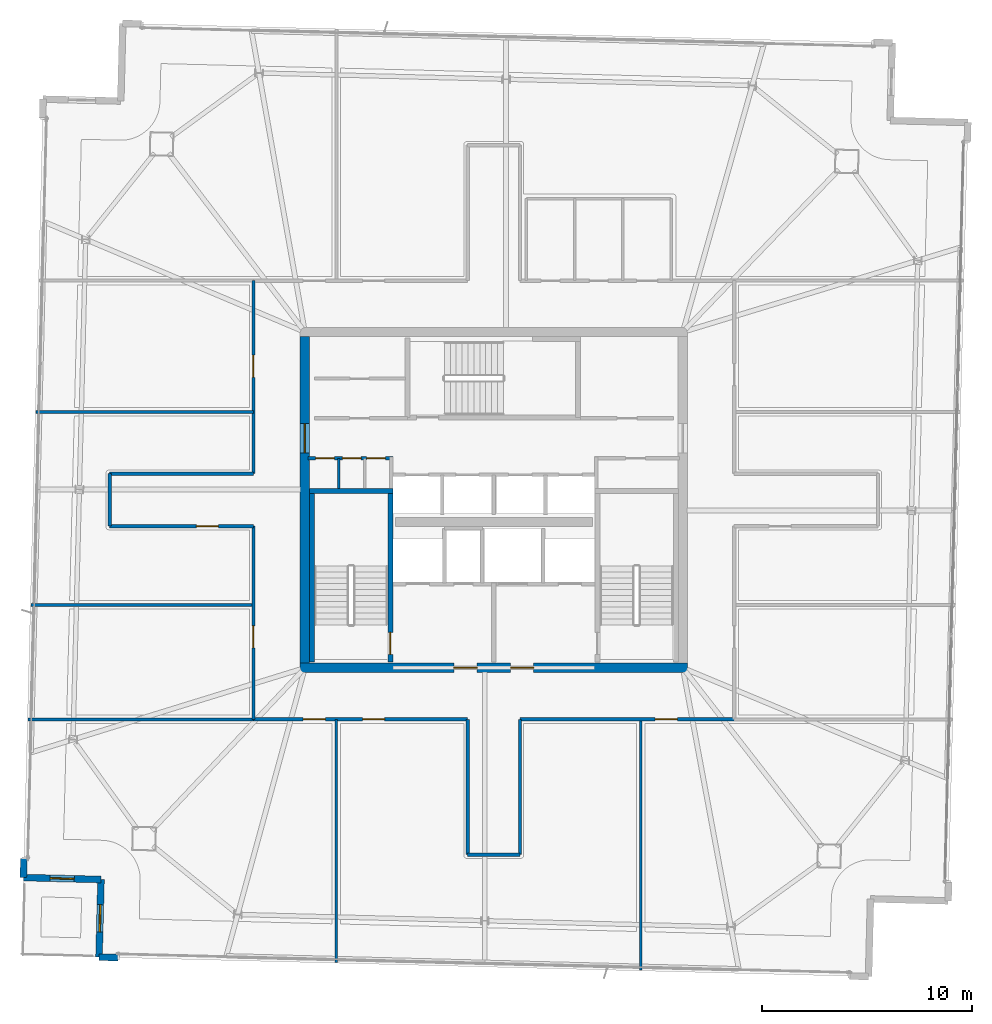
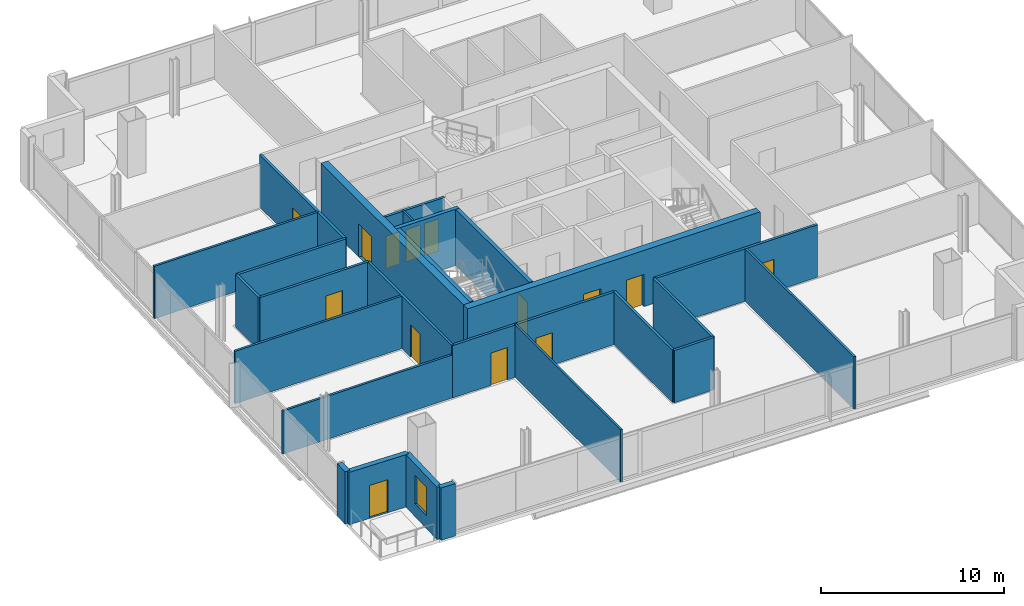
# One storey, part 19 of 25: 26 walls, 14 doors, 1 window, 15 openings.
"""IFC4 building model written with IfcOpenShell, lengths in metres."""

from ifc_helpers import new_model, si_unit, direction, frame, frame_2d, origin, place, context, subcontext, project, spatial, rectangle, extrude, material, layer, layer_set, type_object, element, fill, save


model = new_model("IFC4")

# Units and contexts
model_context = context("Model", 3, precision=1e-05, world=origin(), true_north=direction((0.0, 1.0)))
body_context = subcontext(model_context, "Body", "Model", "MODEL_VIEW")
ifc_project = project(units=[si_unit("LENGTHUNIT", "METRE"), si_unit("AREAUNIT", "SQUARE_METRE"), si_unit("VOLUMEUNIT", "CUBIC_METRE"), si_unit("PLANEANGLEUNIT", "RADIAN"), si_unit("MASSUNIT", "GRAM", prefix="KILO")], contexts=[model_context])

# Site, building, storey
site_placement = place(None, origin())
site = spatial("IfcSite", under=ifc_project, at=site_placement, CompositionType="ELEMENT")
building_placement = place(site_placement, origin())
building = spatial("IfcBuilding", under=site, at=building_placement, Name="Haldenkirk Collegiate Tower", CompositionType="ELEMENT")
storey_placement = place(building_placement, frame((0.0, 0.0, 325.199951171875)))
storey = spatial("IfcBuildingStorey", under=building, at=storey_placement, Name="L82", CompositionType="ELEMENT", Elevation=325.199951171875)

# Wall, openings, doors
ifc_material_1 = material(Name="Concrete f'c 55 MPa", Category="concrete")
ifc_layer_1 = layer(ifc_material_1, 0.449951171875)
ifc_layer_set_1 = layer_set([ifc_layer_1], Name="Concrete f'c 55 MPa")
wall_type_1 = type_object("IfcWallType", Name="WL-CORE-450", PredefinedType="SHEAR", material=ifc_layer_set_1)
wall_1_placement = place(storey_placement, frame((26.77490234375, 18.0, 0.0), z_axis=(0.0, 0.0, 1.0), x_axis=(1.0, 0.0, 0.0)))
wall_1 = element("IfcWall", 1, at=wall_1_placement, inside=storey, type_object=wall_type_1, Name="L82 central core shear wall S", PredefinedType="SHEAR", context=body_context, shape_type="SweptSolid", body=[
    extrude(rectangle(XDim=18.4501953125, YDim=0.449951171875, at=frame_2d((9.22509765625, 0.0))), origin(), (0.0, 0.0, 1.0), 3.75),
])
opening_1_placement = place(wall_1_placement, frame((7.324951171875, 0.0, 0.0)))
opening_1 = element("IfcOpeningElement", 2, at=opening_1_placement, cuts=wall_1, Name="Opening D-02", PredefinedType="OPENING", context=body_context, shape_type="SweptSolid", body=[
    extrude(rectangle(XDim=1.10009765625, YDim=2.14990234375, at=frame_2d((0.550048828125, 1.074951171875))), frame((0.0, 0.23486328125, 0.0), z_axis=(0.0, -1.0, 0.0), x_axis=(1.0, 0.0, 0.0)), (0.0, 0.0, 1.0), 0.469970703125),
])
opening_2_placement = place(wall_1_placement, frame((10.02490234375, 0.0, 0.0)))
opening_2 = element("IfcOpeningElement", 3, at=opening_2_placement, cuts=wall_1, Name="Opening D-02", PredefinedType="OPENING", context=body_context, shape_type="SweptSolid", body=[
    extrude(rectangle(XDim=1.10009765625, YDim=2.14990234375, at=frame_2d((0.550048828125, 1.074951171875))), frame((0.0, 0.23486328125, 0.0), z_axis=(0.0, -1.0, 0.0), x_axis=(1.0, 0.0, 0.0)), (0.0, 0.0, 1.0), 0.469970703125),
])
ifc_material_2 = material(Name="Galvanized fire-rated hollow steel door", Category="steel")
ifc_layer_2 = layer(ifc_material_2, 0.06005859375)
ifc_layer_set_2 = layer_set([ifc_layer_2], Name="Galvanized fire-rated hollow steel door")
door_type_1 = type_object("IfcDoorType", Name="DR-STAIR-FD90-1100", OperationType="NOTDEFINED", PredefinedType="DOOR", material=ifc_layer_set_2)
door_1_placement = place(opening_1_placement, origin())
door_1 = element("IfcDoor", 4, at=door_1_placement, inside=storey, type_object=door_type_1, Name="L82 Firefighting Lobby 1 door", OperationType="SINGLE_SWING_RIGHT", OverallHeight=2.14990234375, OverallWidth=1.10009765625, PredefinedType="DOOR", context=body_context, shape_type="SweptSolid", body=[
    extrude(rectangle(XDim=1.10009765625, YDim=2.14990234375, at=frame_2d((0.550048828125, 1.074951171875))), frame((0.0, 0.02490234375, 0.0), z_axis=(0.0, -1.0, 0.0), x_axis=(1.0, 0.0, 0.0)), (0.0, 0.0, 1.0), 0.050048828125),
])
fill(opening_1, door_1)
door_2_placement = place(opening_2_placement, origin())
door_2 = element("IfcDoor", 5, at=door_2_placement, inside=storey, type_object=door_type_1, Name="L82 Firefighting Lobby 2 door", OperationType="SINGLE_SWING_LEFT", OverallHeight=2.14990234375, OverallWidth=1.10009765625, PredefinedType="DOOR", context=body_context, shape_type="SweptSolid", body=[
    extrude(rectangle(XDim=1.10009765625, YDim=2.14990234375, at=frame_2d((0.550048828125, 1.074951171875))), frame((0.0, 0.02490234375, 0.0), z_axis=(0.0, -1.0, 0.0), x_axis=(1.0, 0.0, 0.0)), (0.0, 0.0, 1.0), 0.050048828125),
])
fill(opening_2, door_2)

# Wall, opening, door
wall_2_placement = place(storey_placement, frame((27.0, 18.22509765625, 0.0), z_axis=(0.0, 0.0, 1.0), x_axis=(0.0, 1.0, 0.0)))
wall_2 = element("IfcWall", 6, at=wall_2_placement, inside=storey, type_object=wall_type_1, Name="L82 central core shear wall W", PredefinedType="SHEAR", context=body_context, shape_type="SweptSolid", body=[
    extrude(rectangle(XDim=15.5498046875, YDim=0.449951171875, at=frame_2d((7.77490234375, 0.0))), origin(), (0.0, 0.0, 1.0), 3.75),
])
opening_3_placement = place(wall_2_placement, frame((10.014892578125, 0.0, 0.0)))
opening_3 = element("IfcOpeningElement", 7, at=opening_3_placement, cuts=wall_2, Name="Opening D-03", PredefinedType="OPENING", context=body_context, shape_type="SweptSolid", body=[
    extrude(rectangle(XDim=1.39990234375, YDim=2.199951171875, at=frame_2d((0.699951171875, 1.10009765625))), frame((0.0, 0.23486328125, 0.0), z_axis=(0.0, -1.0, 0.0), x_axis=(1.0, 0.0, 0.0)), (0.0, 0.0, 1.0), 0.469970703125),
])
ifc_layer_3 = layer(ifc_material_2, 0.06005859375)
ifc_layer_set_3 = layer_set([ifc_layer_3], Name="Galvanized fire-rated hollow steel door")
door_type_2 = type_object("IfcDoorType", Name="DR-LOBBY-FD90-1400", OperationType="NOTDEFINED", PredefinedType="DOOR", material=ifc_layer_set_3)
door_3_placement = place(opening_3_placement, origin())
door_3 = element("IfcDoor", 8, at=door_3_placement, inside=storey, type_object=door_type_2, Name="L82 west lift lobby portal", OperationType="DOUBLE_DOOR_SINGLE_SWING", OverallHeight=2.199951171875, OverallWidth=1.39990234375, PredefinedType="DOOR", context=body_context, shape_type="SweptSolid", body=[
    extrude(rectangle(XDim=1.39990234375, YDim=2.199951171875, at=frame_2d((0.699951171875, 1.10009765625))), frame((0.0, 0.02490234375, 0.0), z_axis=(0.0, -1.0, 0.0), x_axis=(1.0, 0.0, 0.0)), (0.0, 0.0, 1.0), 0.050048828125),
])
fill(opening_3, door_3)

# Wall
ifc_material_3 = material(Name="Precast concrete f'c 40 MPa", Category="concrete")
ifc_layer_4 = layer(ifc_material_3, 0.320068359375)
ifc_layer_set_4 = layer_set([ifc_layer_4], Name="Precast concrete f'c 40 MPa")
wall_type_2 = type_object("IfcWallType", Name="WL-EXT-TWR-320", PredefinedType="STANDARD", material=ifc_layer_set_4)
wall_3_placement = place(storey_placement, frame((13.587646484375, 8.011474609375, 0.0), z_axis=(0.0, 0.0, 1.0), x_axis=(0.025229415726, 0.99968168763, 0.0)))
element("IfcWall", 9, at=wall_3_placement, inside=storey, type_object=wall_type_2, Name="L82 precast corner pier NL", PredefinedType="STANDARD", context=body_context, shape_type="SweptSolid", body=[
    extrude(rectangle(XDim=0.89990234375, YDim=0.320068359375, at=frame_2d((0.449951171875, 0.0))), origin(), (0.0, 0.0, 1.0), 3.489990234375),
])

# Wall, opening, door
wall_4_placement = place(storey_placement, frame((17.286376953125, 7.917724609375, 0.0), z_axis=(0.0, 0.0, 1.0), x_axis=(-0.999678931284, 0.025338396674, 0.0)))
wall_4 = element("IfcWall", 10, at=wall_4_placement, inside=storey, type_object=wall_type_2, Name="L82 bronze precast notch wall 08", PredefinedType="STANDARD", context=body_context, shape_type="SweptSolid", body=[
    extrude(rectangle(XDim=3.699951171875, YDim=0.320068359375, at=frame_2d((1.85009765625, 0.0))), origin(), (0.0, 0.0, 1.0), 3.489990234375),
])
opening_4_placement = place(wall_4_placement, frame((1.27490234375, 0.0, 0.0)))
opening_4 = element("IfcOpeningElement", 11, at=opening_4_placement, cuts=wall_4, Name="Opening D-ST11", PredefinedType="OPENING", context=body_context, shape_type="SweptSolid", body=[
    extrude(rectangle(XDim=1.14990234375, YDim=2.199951171875, at=frame_2d((0.574951171875, 1.10009765625))), frame((0.0, 0.169921875, 0.0), z_axis=(0.0, -1.0, 0.0), x_axis=(1.0, 0.0, 0.0)), (0.0, 0.0, 1.0), 0.340087890625),
])
ifc_material_4 = material(Name="Anodised architectural bronze aluminium", Category="aluminium")
ifc_layer_5 = layer(ifc_material_4, 0.080078125)
ifc_layer_set_5 = layer_set([ifc_layer_5], Name="Anodised architectural bronze aluminium")
door_type_3 = type_object("IfcDoorType", Name="DR-EXT-STER-1150", OperationType="NOTDEFINED", PredefinedType="DOOR", material=ifc_layer_set_5)
door_4_placement = place(opening_4_placement, origin())
door_4 = element("IfcDoor", 12, at=door_4_placement, inside=storey, type_object=door_type_3, Name="L82 spiralling terrace door", OperationType="SINGLE_SWING_LEFT", OverallHeight=2.199951171875, OverallWidth=1.14990234375, PredefinedType="DOOR", context=body_context, shape_type="SweptSolid", body=[
    extrude(rectangle(XDim=1.14990234375, YDim=2.199951171875, at=frame_2d((0.574951171875, 1.10009765625))), frame((0.0, 0.02490234375, 0.0), z_axis=(0.0, -1.0, 0.0), x_axis=(1.0, 0.0, 0.0)), (0.0, 0.0, 1.0), 0.050048828125),
])
fill(opening_4, door_4)

# Wall, opening, window
wall_5_placement = place(storey_placement, frame((17.19287109375, 4.218994140625, 0.0), z_axis=(0.0, 0.0, 1.0), x_axis=(0.025272453466, 0.99968060054, 0.0)))
wall_5 = element("IfcWall", 13, at=wall_5_placement, inside=storey, type_object=wall_type_2, Name="L82 bronze precast notch wall 09", PredefinedType="STANDARD", context=body_context, shape_type="SweptSolid", body=[
    extrude(rectangle(XDim=3.699951171875, YDim=0.320068359375, at=frame_2d((1.85009765625, 0.0))), origin(), (0.0, 0.0, 1.0), 3.489990234375),
])
opening_5_placement = place(wall_5_placement, frame((1.199951171875, 0.0, 0.85009765625)))
opening_5 = element("IfcOpeningElement", 14, at=opening_5_placement, cuts=wall_5, Name="Opening W-08", PredefinedType="OPENING", context=body_context, shape_type="SweptSolid", body=[
    extrude(rectangle(XDim=1.300048828125, YDim=1.89990234375, at=frame_2d((0.64990234375, 0.949951171875))), frame((0.0, 0.169921875, 0.0), z_axis=(0.0, -1.0, 0.0), x_axis=(1.0, 0.0, 0.0)), (0.0, 0.0, 1.0), 0.340087890625),
])
ifc_material_5 = material(Name="Low-E argon triple insulating glass", Category="glass")
ifc_layer_6 = layer(ifc_material_5, 0.090087890625)
ifc_layer_set_6 = layer_set([ifc_layer_6], Name="Low-E argon triple insulating glass")
window_type = type_object("IfcWindowType", Name="WN-Z6-1300X1900", PartitioningType="SINGLE_PANEL", PredefinedType="WINDOW", material=ifc_layer_set_6)
window_placement = place(opening_5_placement, origin())
window = element("IfcWindow", 15, at=window_placement, inside=storey, type_object=window_type, Name="L82 precast-frame academic window 8", OverallHeight=1.89990234375, OverallWidth=1.300048828125, PartitioningType="SINGLE_PANEL", PredefinedType="WINDOW", context=body_context, shape_type="SweptSolid", body=[
    extrude(rectangle(XDim=1.300048828125, YDim=1.89990234375, at=frame_2d((0.64990234375, 0.949951171875))), frame((0.0, 0.030029296875, 0.0), z_axis=(0.0, -1.0, 0.0), x_axis=(1.0, 0.0, 0.0)), (0.0, 0.0, 1.0), 0.06005859375),
])
fill(opening_5, window)

# Wall
wall_6_placement = place(storey_placement, frame((18.092529296875, 4.196044921875, 0.0), z_axis=(0.0, 0.0, 1.0), x_axis=(-0.999674808756, 0.025500524294, 0.0)))
element("IfcWall", 16, at=wall_6_placement, inside=storey, type_object=wall_type_2, Name="L82 precast corner pier WR", PredefinedType="STANDARD", context=body_context, shape_type="SweptSolid", body=[
    extrude(rectangle(XDim=0.89990234375, YDim=0.320068359375, at=frame_2d((0.449951171875, 0.0))), origin(), (0.0, 0.0, 1.0), 3.489990234375),
])

# Wall, openings, doors
ifc_material_6 = material(Name="Acoustic fire-rated gypsum partition", Category="concrete")
ifc_layer_7 = layer(ifc_material_6, 0.159912109375)
ifc_layer_set_7 = layer_set([ifc_layer_7], Name="Acoustic fire-rated gypsum partition")
wall_type_3 = type_object("IfcWallType", Name="WL-INT-CORR-160", PredefinedType="PARTITIONING", material=ifc_layer_set_7)
wall_7_placement = place(storey_placement, frame((27.14990234375, 27.97998046875, 0.0), z_axis=(0.0, 0.0, 1.0), x_axis=(1.0, 0.0, 0.0)))
wall_7 = element("IfcWall", 17, at=wall_7_placement, inside=storey, type_object=wall_type_3, Name="L82 interior partition IW-L82-VCSW-N", PredefinedType="PARTITIONING", context=body_context, shape_type="SweptSolid", body=[
    extrude(rectangle(XDim=4.050048828125, YDim=0.159912109375, at=frame_2d((2.02490234375, 0.0))), origin(), (0.0, 0.0, 1.0), 3.489990234375),
])
opening_6_placement = place(wall_7_placement, frame((0.360107421875, 0.0, 0.0)))
opening_6 = element("IfcOpeningElement", 18, at=opening_6_placement, cuts=wall_7, Name="Opening D-11", PredefinedType="OPENING", context=body_context, shape_type="SweptSolid", body=[
    extrude(rectangle(XDim=0.89990234375, YDim=2.14990234375, at=frame_2d((0.449951171875, 1.074951171875))), frame((0.0, 0.08984375, 0.0), z_axis=(0.0, -1.0, 0.0), x_axis=(1.0, 0.0, 0.0)), (0.0, 0.0, 1.0), 0.179931640625),
])
opening_7_placement = place(wall_7_placement, frame((1.6298828125, 0.0, 0.0)))
opening_7 = element("IfcOpeningElement", 19, at=opening_7_placement, cuts=wall_7, Name="Opening D-11", PredefinedType="OPENING", context=body_context, shape_type="SweptSolid", body=[
    extrude(rectangle(XDim=0.89990234375, YDim=2.14990234375, at=frame_2d((0.449951171875, 1.074951171875))), frame((0.0, 0.08984375, 0.0), z_axis=(0.0, -1.0, 0.0), x_axis=(1.0, 0.0, 0.0)), (0.0, 0.0, 1.0), 0.179931640625),
])
opening_8_placement = place(wall_7_placement, frame((2.78759765625, 0.0, 0.0)))
opening_8 = element("IfcOpeningElement", 20, at=opening_8_placement, cuts=wall_7, Name="Opening D-11", PredefinedType="OPENING", context=body_context, shape_type="SweptSolid", body=[
    extrude(rectangle(XDim=0.89990234375, YDim=2.14990234375, at=frame_2d((0.449951171875, 1.074951171875))), frame((0.0, 0.08984375, 0.0), z_axis=(0.0, -1.0, 0.0), x_axis=(1.0, 0.0, 0.0)), (0.0, 0.0, 1.0), 0.179931640625),
])
ifc_material_7 = material(Name="Solid-core architectural oak fire door", Category="wood")
ifc_layer_8 = layer(ifc_material_7, 0.06005859375)
ifc_layer_set_8 = layer_set([ifc_layer_8], Name="Solid-core architectural oak fire door")
door_type_4 = type_object("IfcDoorType", Name="DR-INT-FD60-900", OperationType="NOTDEFINED", PredefinedType="DOOR", material=ifc_layer_set_8)
door_5_placement = place(opening_6_placement, origin())
door_5 = element("IfcDoor", 21, at=door_5_placement, inside=storey, type_object=door_type_4, Name="L82 core study booth door", OperationType="SINGLE_SWING_RIGHT", OverallHeight=2.14990234375, OverallWidth=0.89990234375, PredefinedType="DOOR", context=body_context, shape_type="SweptSolid", body=[
    extrude(rectangle(XDim=0.89990234375, YDim=2.14990234375, at=frame_2d((0.449951171875, 1.074951171875))), frame((0.0, 0.02490234375, 0.0), z_axis=(0.0, -1.0, 0.0), x_axis=(1.0, 0.0, 0.0)), (0.0, 0.0, 1.0), 0.050048828125),
])
fill(opening_6, door_5)
door_6_placement = place(opening_7_placement, origin())
door_6 = element("IfcDoor", 22, at=door_6_placement, inside=storey, type_object=door_type_4, Name="L82 core cleaners door", OperationType="SINGLE_SWING_LEFT", OverallHeight=2.14990234375, OverallWidth=0.89990234375, PredefinedType="DOOR", context=body_context, shape_type="SweptSolid", body=[
    extrude(rectangle(XDim=0.89990234375, YDim=2.14990234375, at=frame_2d((0.449951171875, 1.074951171875))), frame((0.0, 0.02490234375, 0.0), z_axis=(0.0, -1.0, 0.0), x_axis=(1.0, 0.0, 0.0)), (0.0, 0.0, 1.0), 0.050048828125),
])
fill(opening_7, door_6)
door_7_placement = place(opening_8_placement, origin())
door_7 = element("IfcDoor", 23, at=door_7_placement, inside=storey, type_object=door_type_4, Name="L82 core stationery door", OperationType="SINGLE_SWING_RIGHT", OverallHeight=2.14990234375, OverallWidth=0.89990234375, PredefinedType="DOOR", context=body_context, shape_type="SweptSolid", body=[
    extrude(rectangle(XDim=0.89990234375, YDim=2.14990234375, at=frame_2d((0.449951171875, 1.074951171875))), frame((0.0, 0.02490234375, 0.0), z_axis=(0.0, -1.0, 0.0), x_axis=(1.0, 0.0, 0.0)), (0.0, 0.0, 1.0), 0.050048828125),
])
fill(opening_8, door_7)

wall_8_placement = place(storey_placement, frame((24.5, 15.550048828125, 0.0), z_axis=(0.0, 0.0, 1.0), x_axis=(1.0, 0.0, 0.0)))
wall_8 = element("IfcWall", 24, at=wall_8_placement, inside=storey, type_object=wall_type_3, Name="L82 interior partition IW-L82-CS1", PredefinedType="PARTITIONING", context=body_context, shape_type="SweptSolid", body=[
    extrude(rectangle(XDim=10.25, YDim=0.159912109375, at=frame_2d((5.125, 0.0))), origin(), (0.0, 0.0, 1.0), 3.489990234375),
])
opening_9_placement = place(wall_8_placement, frame((2.4208984375, 0.0, 0.0)))
opening_9 = element("IfcOpeningElement", 25, at=opening_9_placement, cuts=wall_8, Name="Opening D-09", PredefinedType="OPENING", context=body_context, shape_type="SweptSolid", body=[
    extrude(rectangle(XDim=1.050048828125, YDim=2.14990234375, at=frame_2d((0.52490234375, 1.074951171875))), frame((0.0, 0.08984375, 0.0), z_axis=(0.0, -1.0, 0.0), x_axis=(1.0, 0.0, 0.0)), (0.0, 0.0, 1.0), 0.179931640625),
])
opening_10_placement = place(wall_8_placement, frame((5.2490234375, 0.0, 0.0)))
opening_10 = element("IfcOpeningElement", 26, at=opening_10_placement, cuts=wall_8, Name="Opening D-09", PredefinedType="OPENING", context=body_context, shape_type="SweptSolid", body=[
    extrude(rectangle(XDim=1.050048828125, YDim=2.14990234375, at=frame_2d((0.52490234375, 1.074951171875))), frame((0.0, 0.08984375, 0.0), z_axis=(0.0, -1.0, 0.0), x_axis=(1.0, 0.0, 0.0)), (0.0, 0.0, 1.0), 0.179931640625),
])
ifc_layer_9 = layer(ifc_material_7, 0.06005859375)
ifc_layer_set_9 = layer_set([ifc_layer_9], Name="Solid-core architectural oak fire door")
door_type_5 = type_object("IfcDoorType", Name="DR-INT-FD60-1050", OperationType="NOTDEFINED", PredefinedType="DOOR", material=ifc_layer_set_9)
door_8_placement = place(opening_9_placement, origin())
door_8 = element("IfcDoor", 27, at=door_8_placement, inside=storey, type_object=door_type_5, Name="L82 Faculty Office 1 door", OperationType="SINGLE_SWING_RIGHT", OverallHeight=2.14990234375, OverallWidth=1.050048828125, PredefinedType="DOOR", context=body_context, shape_type="SweptSolid", body=[
    extrude(rectangle(XDim=1.050048828125, YDim=2.14990234375, at=frame_2d((0.52490234375, 1.074951171875))), frame((0.0, 0.02490234375, 0.0), z_axis=(0.0, -1.0, 0.0), x_axis=(1.0, 0.0, 0.0)), (0.0, 0.0, 1.0), 0.050048828125),
])
fill(opening_9, door_8)
door_9_placement = place(opening_10_placement, origin())
door_9 = element("IfcDoor", 28, at=door_9_placement, inside=storey, type_object=door_type_5, Name="L82 Senior Fellow Office 2 door", OperationType="SINGLE_SWING_LEFT", OverallHeight=2.14990234375, OverallWidth=1.050048828125, PredefinedType="DOOR", context=body_context, shape_type="SweptSolid", body=[
    extrude(rectangle(XDim=1.050048828125, YDim=2.14990234375, at=frame_2d((0.52490234375, 1.074951171875))), frame((0.0, 0.02490234375, 0.0), z_axis=(0.0, -1.0, 0.0), x_axis=(1.0, 0.0, 0.0)), (0.0, 0.0, 1.0), 0.050048828125),
])
fill(opening_10, door_9)

# Wall, opening, door
wall_9_placement = place(storey_placement, frame((37.25, 15.550048828125, 0.0), z_axis=(0.0, 0.0, 1.0), x_axis=(1.0, 0.0, 0.0)))
wall_9 = element("IfcWall", 29, at=wall_9_placement, inside=storey, type_object=wall_type_3, Name="L82 interior partition IW-L82-CS2", PredefinedType="PARTITIONING", context=body_context, shape_type="SweptSolid", body=[
    extrude(rectangle(XDim=10.25, YDim=0.159912109375, at=frame_2d((5.125, 0.0))), origin(), (0.0, 0.0, 1.0), 3.489990234375),
])
opening_11_placement = place(wall_9_placement, frame((6.43896484375, 0.0, 0.0)))
opening_11 = element("IfcOpeningElement", 30, at=opening_11_placement, cuts=wall_9, Name="Opening D-09", PredefinedType="OPENING", context=body_context, shape_type="SweptSolid", body=[
    extrude(rectangle(XDim=1.050048828125, YDim=2.14990234375, at=frame_2d((0.52490234375, 1.074951171875))), frame((0.0, 0.08984375, 0.0), z_axis=(0.0, -1.0, 0.0), x_axis=(1.0, 0.0, 0.0)), (0.0, 0.0, 1.0), 0.179931640625),
])
door_10_placement = place(opening_11_placement, origin())
door_10 = element("IfcDoor", 31, at=door_10_placement, inside=storey, type_object=door_type_5, Name="L82 Research Office 3 door", OperationType="SINGLE_SWING_RIGHT", OverallHeight=2.14990234375, OverallWidth=1.050048828125, PredefinedType="DOOR", context=body_context, shape_type="SweptSolid", body=[
    extrude(rectangle(XDim=1.050048828125, YDim=2.14990234375, at=frame_2d((0.52490234375, 1.074951171875))), frame((0.0, 0.02490234375, 0.0), z_axis=(0.0, -1.0, 0.0), x_axis=(1.0, 0.0, 0.0)), (0.0, 0.0, 1.0), 0.050048828125),
])
fill(opening_11, door_10)

wall_10_placement = place(storey_placement, frame((24.550048828125, 15.550048828125, 0.0), z_axis=(0.0, 0.0, 1.0), x_axis=(0.0, 1.0, 0.0)))
wall_10 = element("IfcWall", 32, at=wall_10_placement, inside=storey, type_object=wall_type_3, Name="L82 interior partition IW-L82-CW1", PredefinedType="PARTITIONING", context=body_context, shape_type="SweptSolid", body=[
    extrude(rectangle(XDim=9.199951171875, YDim=0.159912109375, at=frame_2d((4.60009765625, 0.0))), origin(), (0.0, 0.0, 1.0), 3.489990234375),
])
opening_12_placement = place(wall_10_placement, frame((3.406982421875, 0.0, 0.0)))
opening_12 = element("IfcOpeningElement", 33, at=opening_12_placement, cuts=wall_10, Name="Opening D-09", PredefinedType="OPENING", context=body_context, shape_type="SweptSolid", body=[
    extrude(rectangle(XDim=1.050048828125, YDim=2.14990234375, at=frame_2d((0.52490234375, 1.074951171875))), frame((0.0, 0.08984375, 0.0), z_axis=(0.0, -1.0, 0.0), x_axis=(1.0, 0.0, 0.0)), (0.0, 0.0, 1.0), 0.179931640625),
])
door_11_placement = place(opening_12_placement, origin())
door_11 = element("IfcDoor", 34, at=door_11_placement, inside=storey, type_object=door_type_5, Name="L82 Curator Office 6 door", OperationType="SINGLE_SWING_LEFT", OverallHeight=2.14990234375, OverallWidth=1.050048828125, PredefinedType="DOOR", context=body_context, shape_type="SweptSolid", body=[
    extrude(rectangle(XDim=1.050048828125, YDim=2.14990234375, at=frame_2d((0.52490234375, 1.074951171875))), frame((0.0, 0.02490234375, 0.0), z_axis=(0.0, -1.0, 0.0), x_axis=(1.0, 0.0, 0.0)), (0.0, 0.0, 1.0), 0.050048828125),
])
fill(opening_12, door_11)

wall_11_placement = place(storey_placement, frame((24.550048828125, 27.25, 0.0), z_axis=(0.0, 0.0, 1.0), x_axis=(0.0, 1.0, 0.0)))
wall_11 = element("IfcWall", 35, at=wall_11_placement, inside=storey, type_object=wall_type_3, Name="L82 interior partition IW-L82-CW2", PredefinedType="PARTITIONING", context=body_context, shape_type="SweptSolid", body=[
    extrude(rectangle(XDim=9.199951171875, YDim=0.159912109375, at=frame_2d((4.60009765625, 0.0))), origin(), (0.0, 0.0, 1.0), 3.489990234375),
])
opening_13_placement = place(wall_11_placement, frame((4.593994140625, 0.0, 0.0)))
opening_13 = element("IfcOpeningElement", 36, at=opening_13_placement, cuts=wall_11, Name="Opening D-09", PredefinedType="OPENING", context=body_context, shape_type="SweptSolid", body=[
    extrude(rectangle(XDim=1.050048828125, YDim=2.14990234375, at=frame_2d((0.52490234375, 1.074951171875))), frame((0.0, 0.08984375, 0.0), z_axis=(0.0, -1.0, 0.0), x_axis=(1.0, 0.0, 0.0)), (0.0, 0.0, 1.0), 0.179931640625),
])
door_12_placement = place(opening_13_placement, origin())
door_12 = element("IfcDoor", 37, at=door_12_placement, inside=storey, type_object=door_type_5, Name="L82 Senior Fellow Office 8 door", OperationType="SINGLE_SWING_LEFT", OverallHeight=2.14990234375, OverallWidth=1.050048828125, PredefinedType="DOOR", context=body_context, shape_type="SweptSolid", body=[
    extrude(rectangle(XDim=1.050048828125, YDim=2.14990234375, at=frame_2d((0.52490234375, 1.074951171875))), frame((0.0, 0.02490234375, 0.0), z_axis=(0.0, -1.0, 0.0), x_axis=(1.0, 0.0, 0.0)), (0.0, 0.0, 1.0), 0.050048828125),
])
fill(opening_13, door_12)

# Walls
for number, where, z_axis, x_axis, name in (
    (38, (34.75, 9.10009765625, 0.0), (0.0, 0.0, 1.0), (0.0, 1.0, 0.0), "L82 interior partition IW-L82-SPW"),
    (39, (37.25, 9.10009765625, 0.0), (0.0, 0.0, 1.0), (0.0, 1.0, 0.0), "L82 interior partition IW-L82-SPE"),
):
    element("IfcWall", number, at=place(storey_placement, frame(where, z_axis=z_axis, x_axis=x_axis)), inside=storey, type_object=wall_type_3, Name=name, PredefinedType="PARTITIONING", context=body_context, shape_type="SweptSolid", body=[
        extrude(rectangle(XDim=6.449951171875, YDim=0.159912109375, at=frame_2d((3.22509765625, 0.0))), origin(), (0.0, 0.0, 1.0), 3.489990234375),
    ])
wall_12_placement = place(storey_placement, frame((34.75, 9.10009765625, 0.0), z_axis=(0.0, 0.0, 1.0), x_axis=(1.0, 0.0, 0.0)))
element("IfcWall", 40, at=wall_12_placement, inside=storey, type_object=wall_type_3, Name="L82 interior partition IW-L82-SPS", PredefinedType="PARTITIONING", context=body_context, shape_type="SweptSolid", body=[
    extrude(rectangle(XDim=2.5, YDim=0.159912109375, at=frame_2d((1.25, 0.0))), origin(), (0.0, 0.0, 1.0), 3.489990234375),
])

# Wall, opening, door
wall_13_placement = place(storey_placement, frame((17.699951171875, 24.75, 0.0), z_axis=(0.0, 0.0, 1.0), x_axis=(1.0, 0.0, 0.0)))
wall_13 = element("IfcWall", 41, at=wall_13_placement, inside=storey, type_object=wall_type_3, Name="L82 interior partition IW-L82-WPS", PredefinedType="PARTITIONING", context=body_context, shape_type="SweptSolid", body=[
    extrude(rectangle(XDim=6.85009765625, YDim=0.159912109375, at=frame_2d((3.425048828125, 0.0))), origin(), (0.0, 0.0, 1.0), 3.489990234375),
])
opening_14_placement = place(wall_13_placement, frame((4.133056640625, 0.0, 0.0)))
opening_14 = element("IfcOpeningElement", 42, at=opening_14_placement, cuts=wall_13, Name="Opening D-09", PredefinedType="OPENING", context=body_context, shape_type="SweptSolid", body=[
    extrude(rectangle(XDim=1.050048828125, YDim=2.14990234375, at=frame_2d((0.52490234375, 1.074951171875))), frame((0.0, 0.08984375, 0.0), z_axis=(0.0, -1.0, 0.0), x_axis=(1.0, 0.0, 0.0)), (0.0, 0.0, 1.0), 0.179931640625),
])
door_13_placement = place(opening_14_placement, origin())
door_13 = element("IfcDoor", 43, at=door_13_placement, inside=storey, type_object=door_type_5, Name="L82 Faculty Office 7 door", OperationType="SINGLE_SWING_RIGHT", OverallHeight=2.14990234375, OverallWidth=1.050048828125, PredefinedType="DOOR", context=body_context, shape_type="SweptSolid", body=[
    extrude(rectangle(XDim=1.050048828125, YDim=2.14990234375, at=frame_2d((0.52490234375, 1.074951171875))), frame((0.0, 0.02490234375, 0.0), z_axis=(0.0, -1.0, 0.0), x_axis=(1.0, 0.0, 0.0)), (0.0, 0.0, 1.0), 0.050048828125),
])
fill(opening_14, door_13)

# Walls
wall_14_placement = place(storey_placement, frame((17.699951171875, 27.25, 0.0), z_axis=(0.0, 0.0, 1.0), x_axis=(1.0, 0.0, 0.0)))
element("IfcWall", 44, at=wall_14_placement, inside=storey, type_object=wall_type_3, Name="L82 interior partition IW-L82-WPN", PredefinedType="PARTITIONING", context=body_context, shape_type="SweptSolid", body=[
    extrude(rectangle(XDim=6.85009765625, YDim=0.159912109375, at=frame_2d((3.425048828125, 0.0))), origin(), (0.0, 0.0, 1.0), 3.489990234375),
])
wall_15_placement = place(storey_placement, frame((17.699951171875, 24.75, 0.0), z_axis=(0.0, 0.0, 1.0), x_axis=(0.0, 1.0, 0.0)))
element("IfcWall", 45, at=wall_15_placement, inside=storey, type_object=wall_type_3, Name="L82 interior partition IW-L82-WPW", PredefinedType="PARTITIONING", context=body_context, shape_type="SweptSolid", body=[
    extrude(rectangle(XDim=2.5, YDim=0.159912109375, at=frame_2d((1.25, 0.0))), origin(), (0.0, 0.0, 1.0), 3.489990234375),
])
ifc_layer_10 = layer(ifc_material_6, 0.139892578125)
ifc_layer_set_10 = layer_set([ifc_layer_10], Name="Acoustic fire-rated gypsum partition")
wall_type_4 = type_object("IfcWallType", Name="WL-INT-DIV-140", PredefinedType="PARTITIONING", material=ifc_layer_set_10)
wall_16_placement = place(storey_placement, frame((13.818359375, 15.550048828125, 0.0), z_axis=(0.0, 0.0, 1.0), x_axis=(1.0, 0.0, 0.0)))
element("IfcWall", 46, at=wall_16_placement, inside=storey, type_object=wall_type_4, Name="L82 interior partition IW-L82-BWS", PredefinedType="PARTITIONING", context=body_context, shape_type="SweptSolid", body=[
    extrude(rectangle(XDim=10.731689453125, YDim=0.139892578125, at=frame_2d((5.36572265625, 0.0))), origin(), (0.0, 0.0, 1.0), 2.8681640625),
])
wall_17_placement = place(storey_placement, frame((43.0, 3.605712890625, 0.0), z_axis=(0.0, 0.0, 1.0), x_axis=(0.0, 1.0, 0.0)))
element("IfcWall", 47, at=wall_17_placement, inside=storey, type_object=wall_type_4, Name="L82 interior partition IW-L82-RS2", PredefinedType="PARTITIONING", context=body_context, shape_type="SweptSolid", body=[
    extrude(rectangle(XDim=11.9443359375, YDim=0.139892578125, at=frame_2d((5.97216796875, 0.0))), origin(), (0.0, 0.0, 1.0), 3.489990234375),
])
wall_18_placement = place(storey_placement, frame((13.956298828125, 21.0, 0.0), z_axis=(0.0, 0.0, 1.0), x_axis=(1.0, 0.0, 0.0)))
element("IfcWall", 48, at=wall_18_placement, inside=storey, type_object=wall_type_4, Name="L82 interior partition IW-L82-RW1", PredefinedType="PARTITIONING", context=body_context, shape_type="SweptSolid", body=[
    extrude(rectangle(XDim=10.59375, YDim=0.139892578125, at=frame_2d((5.296875, 0.0))), origin(), (0.0, 0.0, 1.0), 3.489990234375),
])
wall_19_placement = place(storey_placement, frame((14.189208984375, 30.199951171875, 0.0), z_axis=(0.0, 0.0, 1.0), x_axis=(1.0, 0.0, 0.0)))
element("IfcWall", 49, at=wall_19_placement, inside=storey, type_object=wall_type_4, Name="L82 interior partition IW-L82-RW2", PredefinedType="PARTITIONING", context=body_context, shape_type="SweptSolid", body=[
    extrude(rectangle(XDim=10.36083984375, YDim=0.139892578125, at=frame_2d((5.180419921875, 0.0))), origin(), (0.0, 0.0, 1.0), 3.489990234375),
])
ifc_layer_11 = layer(ifc_material_6, 0.1201171875)
ifc_layer_set_11 = layer_set([ifc_layer_11], Name="Acoustic fire-rated gypsum partition")
wall_type_5 = type_object("IfcWallType", Name="WL-INT-WET-120", PredefinedType="PARTITIONING", material=ifc_layer_set_11)
wall_20_placement = place(storey_placement, frame((28.6201171875, 26.5400390625, 0.0), z_axis=(0.0, 0.0, 1.0), x_axis=(0.0, 1.0, 0.0)))
element("IfcWall", 50, at=wall_20_placement, inside=storey, type_object=wall_type_5, Name="L82 interior partition IW-L82-VCSW-M1", PredefinedType="PARTITIONING", context=body_context, shape_type="SweptSolid", body=[
    extrude(rectangle(XDim=1.43994140625, YDim=0.1201171875, at=frame_2d((0.719970703125, 0.0))), origin(), (0.0, 0.0, 1.0), 3.489990234375),
])
wall_21_placement = place(storey_placement, frame((28.5, 3.97265625, 0.0), z_axis=(0.0, 0.0, 1.0), x_axis=(0.0, 1.0, 0.0)))
element("IfcWall", 51, at=wall_21_placement, inside=storey, type_object=wall_type_5, Name="L82 interior partition IW-L82-RS1", PredefinedType="PARTITIONING", context=body_context, shape_type="SweptSolid", body=[
    extrude(rectangle(XDim=11.577392578125, YDim=0.1201171875, at=frame_2d((5.78857421875, 0.0))), origin(), (0.0, 0.0, 1.0), 3.489990234375),
])

# Wall, opening, door
ifc_layer_12 = layer(ifc_material_1, 0.239990234375)
ifc_layer_set_12 = layer_set([ifc_layer_12], Name="Concrete f'c 55 MPa")
wall_type_6 = type_object("IfcWallType", Name="WL-SHAFT-240", PredefinedType="SHEAR", material=ifc_layer_set_12)
wall_22_placement = place(storey_placement, frame((31.070068359375, 18.280029296875, 0.0), z_axis=(0.0, 0.0, 1.0), x_axis=(0.0, 1.0, 0.0)))
wall_22 = element("IfcWall", 52, at=wall_22_placement, inside=storey, type_object=wall_type_6, Name="L82 stair shaft shear wall SW-L82-ST1E", PredefinedType="SHEAR", context=body_context, shape_type="SweptSolid", body=[
    extrude(rectangle(XDim=8.260009765625, YDim=0.239990234375, at=frame_2d((4.1298828125, 0.0))), origin(), (0.0, 0.0, 1.0), 3.75),
])
opening_15_placement = place(wall_22_placement, frame((0.364990234375, 0.0, 0.0)))
opening_15 = element("IfcOpeningElement", 53, at=opening_15_placement, cuts=wall_22, Name="Opening D-01", PredefinedType="OPENING", context=body_context, shape_type="SweptSolid", body=[
    extrude(rectangle(XDim=1.050048828125, YDim=2.14990234375, at=frame_2d((0.52490234375, 1.074951171875))), frame((0.0, 0.1298828125, 0.0), z_axis=(0.0, -1.0, 0.0), x_axis=(1.0, 0.0, 0.0)), (0.0, 0.0, 1.0), 0.260009765625),
])
ifc_layer_13 = layer(ifc_material_2, 0.06005859375)
ifc_layer_set_13 = layer_set([ifc_layer_13], Name="Galvanized fire-rated hollow steel door")
door_type_6 = type_object("IfcDoorType", Name="DR-STAIR-FD90-1050", OperationType="NOTDEFINED", PredefinedType="DOOR", material=ifc_layer_set_13)
door_14_placement = place(opening_15_placement, origin())
door_14 = element("IfcDoor", 54, at=door_14_placement, inside=storey, type_object=door_type_6, Name="L82 Stair 1 door", OperationType="SINGLE_SWING_LEFT", OverallHeight=2.14990234375, OverallWidth=1.050048828125, PredefinedType="DOOR", context=body_context, shape_type="SweptSolid", body=[
    extrude(rectangle(XDim=1.050048828125, YDim=2.14990234375, at=frame_2d((0.52490234375, 1.074951171875))), frame((0.0, 0.02490234375, 0.0), z_axis=(0.0, -1.0, 0.0), x_axis=(1.0, 0.0, 0.0)), (0.0, 0.0, 1.0), 0.050048828125),
])
fill(opening_15, door_14)

# Walls
wall_23_placement = place(storey_placement, frame((27.2099609375, 26.419921875, 0.0), z_axis=(0.0, 0.0, 1.0), x_axis=(1.0, 0.0, 0.0)))
element("IfcWall", 55, at=wall_23_placement, inside=storey, type_object=wall_type_6, Name="L82 stair shaft shear wall SW-L82-ST1N", PredefinedType="SHEAR", context=body_context, shape_type="SweptSolid", body=[
    extrude(rectangle(XDim=3.97998046875, YDim=0.239990234375, at=frame_2d((1.989990234375, 0.0))), origin(), (0.0, 0.0, 1.0), 3.75),
])
wall_24_placement = place(storey_placement, frame((27.330078125, 18.280029296875, 0.0), z_axis=(0.0, 0.0, 1.0), x_axis=(0.0, 1.0, 0.0)))
element("IfcWall", 56, at=wall_24_placement, inside=storey, type_object=wall_type_6, Name="L82 stair shaft shear wall SW-L82-ST1W", PredefinedType="SHEAR", context=body_context, shape_type="SweptSolid", body=[
    extrude(rectangle(XDim=8.260009765625, YDim=0.239990234375, at=frame_2d((4.1298828125, 0.0))), origin(), (0.0, 0.0, 1.0), 3.75),
])

save(model, "model.ifc")
